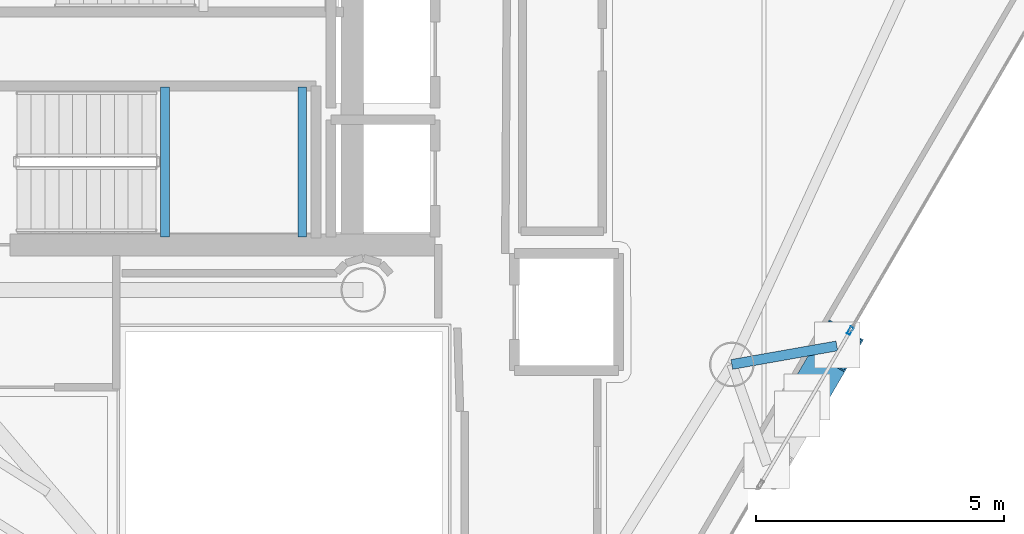
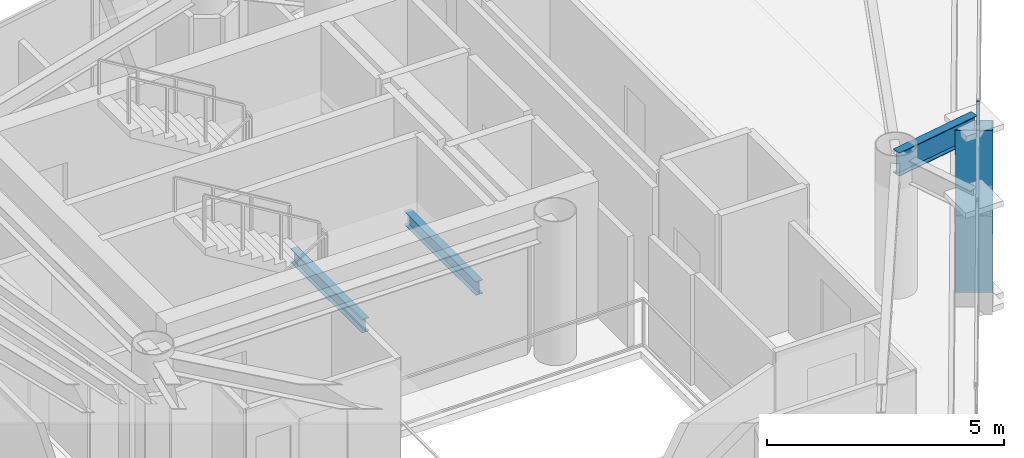
# One storey, part 11 of 22: 3 beams, 2 members, 1 element without a shape of its own.
"""IFC4 building model written with IfcOpenShell, lengths in metres."""

from ifc_helpers import new_model, si_unit, direction, frame, origin, origin_2d, place, context, subcontext, project, spatial, hollow_rectangle, i_section, extrude, material, layer, layer_set, material_profile, profile_set, type_object, element, aggregate, save


model = new_model("IFC4")

# Units and contexts
model_context = context("Model", 3, precision=1e-05, world=origin(), true_north=direction((0.0, 1.0)))
body_context = subcontext(model_context, "Body", "Model", "MODEL_VIEW")
ifc_project = project(units=[si_unit("LENGTHUNIT", "METRE"), si_unit("AREAUNIT", "SQUARE_METRE"), si_unit("VOLUMEUNIT", "CUBIC_METRE"), si_unit("PLANEANGLEUNIT", "RADIAN"), si_unit("MASSUNIT", "GRAM", prefix="KILO")], contexts=[model_context])

# Site, building, storey
site_placement = place(None, origin())
site = spatial("IfcSite", under=ifc_project, at=site_placement, CompositionType="ELEMENT")
building_placement = place(site_placement, origin())
building = spatial("IfcBuilding", under=site, at=building_placement, Name="Qianvela Tower", CompositionType="ELEMENT")
storey_placement = place(building_placement, frame((0.0, 0.0, 299.10009765625)))
storey = spatial("IfcBuildingStorey", under=building, at=storey_placement, Name="L77", CompositionType="ELEMENT", Elevation=299.10009765625)

# Beams
ifc_material_1 = material(Name="Steel Q355B", Category="steel")
ifc_material_profile_1 = material_profile(ifc_material_1, i_section(OverallWidth=0.175048828125, OverallDepth=0.35009765625, WebThickness=0.007080078125, FlangeThickness=0.010986328125, at=origin_2d()), Name="HN350x175x7x11")
ifc_profile_set_1 = profile_set([ifc_material_profile_1], Name="Steel Q355B")
beam_type_1 = type_object("IfcBeamType", Name="BM-HN350-JOIST", PredefinedType="JOIST", material=ifc_profile_set_1)
for number, where, z_axis, x_axis, name in (
    (1, (34.39990234375, 24.919921875, 1.474853515625), (0.0, 1.0, 0.0), (-1.0, 0.0, 0.0), "L77 Stair ST-2 Landing Support Beam 1.1"),
    (2, (37.169921875, 24.919921875, 1.474853515625), (0.0, 1.0, 0.0), (-1.0, 0.0, 0.0), "L77 Stair ST-2 Landing Support Beam 1.2"),
):
    element("IfcBeam", number, at=place(storey_placement, frame(where, z_axis=z_axis, x_axis=x_axis)), inside=storey, type_object=beam_type_1, Name=name, PredefinedType="JOIST", context=body_context, shape_type="SweptSolid", body=[
        extrude(i_section(OverallWidth=0.175048828125, OverallDepth=0.35009765625, WebThickness=0.007080078125, FlangeThickness=0.010986328125, at=origin_2d()), origin(), (0.0, 0.0, 1.0), 3.02001953125),
    ])
ifc_material_2 = material(Name="Steel Q355B", Category="steel")
ifc_material_profile_2 = material_profile(ifc_material_2, i_section(OverallWidth=0.199951171875, OverallDepth=0.60009765625, WebThickness=0.010986328125, FlangeThickness=0.01708984375, at=origin_2d()), Name="HN600x200x11x17")
ifc_profile_set_2 = profile_set([ifc_material_profile_2], Name="Steel Q355B")
beam_type_2 = type_object("IfcBeamType", Name="BM-HN600-GIRD", PredefinedType="BEAM", material=ifc_profile_set_2)
beam_placement = place(storey_placement, frame((45.833984375, 22.344970703125, 3.218017578125), z_axis=(0.984784701482, 0.173778858687, 0.0), x_axis=(-0.173778858687, 0.984784701482, 0.0)))
element("IfcBeam", 3, at=beam_placement, inside=storey, type_object=beam_type_2, Name="L77 Mega-Brace Column Tie Bracket F3-2", PredefinedType="BEAM", context=body_context, shape_type="SweptSolid", body=[
    extrude(i_section(OverallWidth=0.199951171875, OverallDepth=0.60009765625, WebThickness=0.010986328125, FlangeThickness=0.01708984375, at=origin_2d()), origin(), (0.0, 0.0, 1.0), 2.15087890625),
])

# Curtain wall, member
ifc_material_3 = material(Name="Anodised Architectural Aluminium and Insulated Spandrel Panel", Category="aluminium")
ifc_layer = layer(ifc_material_3, 0.179931640625)
ifc_layer_set = layer_set([ifc_layer], Name="Anodised Architectural Aluminium and Insulated Spandrel Panel")
curtain_wall_type = type_object("IfcCurtainWallType", Name="CW-BRACEBAY", PredefinedType="USERDEFINED", material=ifc_layer_set)
curtain_wall_placement = place(storey_placement, origin())
curtain_wall = element("IfcCurtainWall", 4, at=curtain_wall_placement, inside=storey, type_object=curtain_wall_type, Name="L77 CW-BRACEBAY Curtain Wall 06B", ObjectType="CURTAIN_WALL_SYSTEM", PredefinedType="USERDEFINED")
ifc_material_4 = material(Name="Anodised Architectural Aluminium 6063-T6", Category="aluminium")
ifc_material_profile_3 = material_profile(ifc_material_4, hollow_rectangle(XDim=0.06494140625, YDim=0.159912109375, WallThickness=0.0048828125, at=origin_2d()), Name="ALU-MULL-65x160")
ifc_profile_set_3 = profile_set([ifc_material_profile_3], Name="Anodised Architectural Aluminium 6063-T6")
member_type_1 = type_object("IfcMemberType", Name="CW-BRACEBAY-MULL", PredefinedType="MULLION", material=ifc_profile_set_3)
member_1_placement = place(storey_placement, frame((48.224609375, 23.0263671875, 0.0), z_axis=(0.0, 0.0, 1.0), x_axis=(-0.863510482909, 0.504330889305, 0.0)))
member_1 = element("IfcMember", 5, at=member_1_placement, type_object=member_type_1, Name="CW-9 mullion 2", PredefinedType="MULLION", context=body_context, shape_type="SweptSolid", body=[
    extrude(hollow_rectangle(XDim=0.06494140625, YDim=0.159912109375, WallThickness=0.0048828125, at=origin_2d()), origin(), (0.0, 0.0, 1.0), 3.52001953125),
])
aggregate(curtain_wall, [member_1])

# Member
ifc_material_5 = material(Name="Steel Q420GJC", Category="steel")
ifc_material_profile_4 = material_profile(ifc_material_5, hollow_rectangle(XDim=0.800048828125, YDim=0.800048828125, WallThickness=0.028076171875, at=origin_2d()), Name="MBOX-800x800x28")
ifc_profile_set_4 = profile_set([ifc_material_profile_4], Name="Steel Q420GJC")
member_type_2 = type_object("IfcMemberType", Name="MBR-MBRACE-800", PredefinedType="BRACE", material=ifc_profile_set_4)
member_2_placement = place(storey_placement, frame((47.36181640625, 21.70751953125, -0.14013671875), z_axis=(0.165989503482, 0.284337685453, 0.94424550058), x_axis=(-0.863612484882, 0.504156201942, 0.0)))
element("IfcMember", 6, at=member_2_placement, inside=storey, type_object=member_type_2, Name="L77 Tier 13 Exterior Mega-Brace F3B", PredefinedType="BRACE", context=body_context, shape_type="SweptSolid", body=[
    extrude(hollow_rectangle(XDim=0.800048828125, YDim=0.800048828125, WallThickness=0.028076171875, at=origin_2d()), origin(), (0.0, 0.0, 1.0), 3.556396484375),
])

save(model, "model.ifc")
